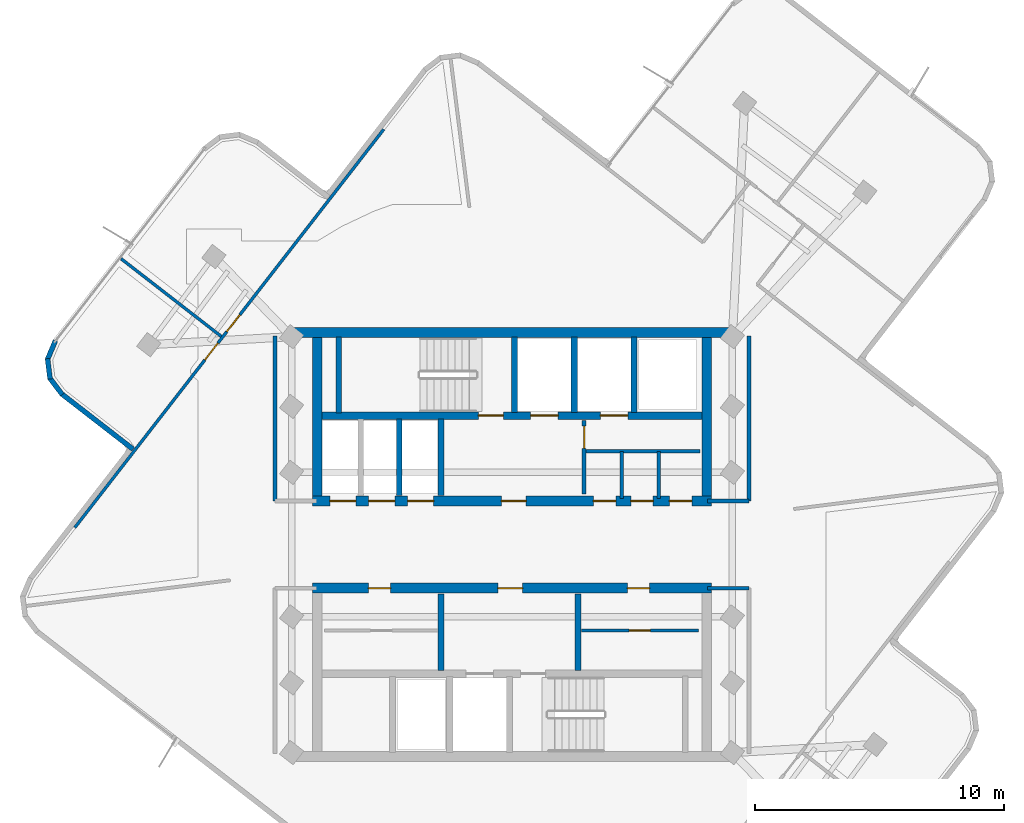
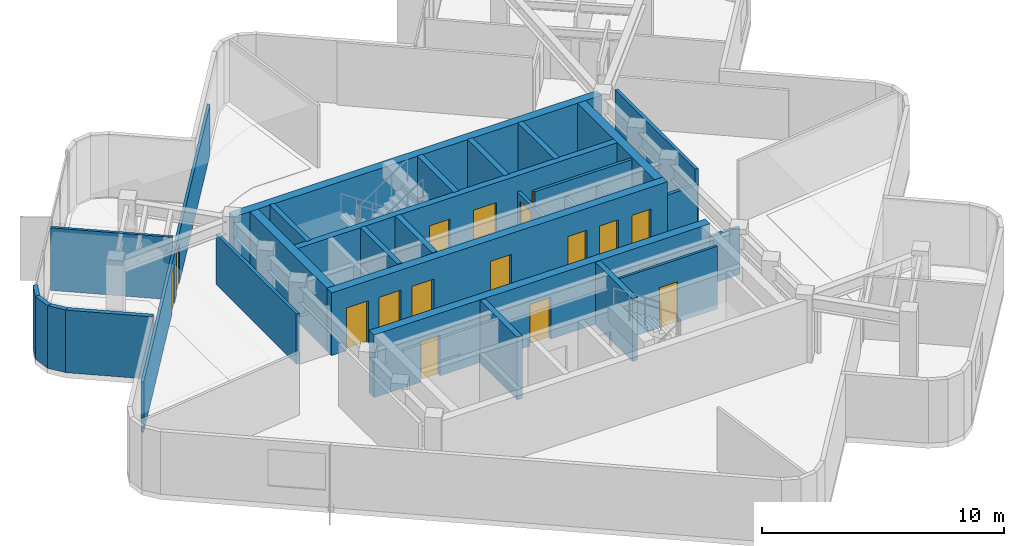
# One storey, part 6 of 10: 29 walls, 17 doors, 17 openings.
"""IFC4 building model written with IfcOpenShell, lengths in metres."""

import ifcopenshell
import ifcopenshell.guid

model = None  # the IFC model being written
_history = None  # IfcOwnerHistory: only IFC2X3 demands one
_inside = {}  # id of a spatial element -> (the spatial element, [elements in it])
_under = {}  # id of a project, library or spatial element -> (it, [spatial elements below it])
_declared = {}  # id of a project -> (the project, [libraries it declares])
_typed = {}  # id of a type object -> (the type object, [elements of that type])
_made_of = {}  # id of a material, layer set ... -> (it, [elements and type objects made of it])


def new_model(schema):
    """Start an empty IFC model of exactly this schema.

    Asked for "IFC4X3", IfcOpenShell would pick the latest addendum, in which some entities
    have other attributes; the version numbers below select the first issue.
    IFC2X3 requires an IfcOwnerHistory on every rooted entity: one is made here for all.
    """
    global model, _history
    if schema == "IFC4X3":
        model = ifcopenshell.file(schema_version=(4, 3, 0, 0))
    else:
        model = ifcopenshell.file(schema=schema)
    _inside.clear()
    _under.clear()
    _declared.clear()
    _typed.clear()
    _made_of.clear()
    _history = None
    if model.schema == "IFC2X3":
        org = make("IfcOrganization", Name="unknown")
        user = make(
            "IfcPersonAndOrganization",
            ThePerson=make("IfcPerson", FamilyName="unknown"),
            TheOrganization=org,
        )
        app = make(
            "IfcApplication",
            ApplicationDeveloper=org,
            Version="unknown",
            ApplicationFullName="unknown",
            ApplicationIdentifier="unknown",
        )
        _history = make(
            "IfcOwnerHistory",
            OwningUser=user,
            OwningApplication=app,
            ChangeAction="ADDED",
            CreationDate=0,
        )
    return model


def make(cls, **values):
    """One entity of the class cls with the attributes given. An attribute that is None is left unset."""
    return model.create_entity(
        cls, **{name: value for name, value in values.items() if value is not None}
    )


def rooted(cls, **values):
    """An entity with a GlobalId (a new one), such as an element, a storey or a relation."""
    return make(cls, GlobalId=ifcopenshell.guid.new(), OwnerHistory=_history, **values)


def si_unit(unit_type, name, prefix=None):
    """IfcSIUnit, for example si_unit("LENGTHUNIT", "METRE", prefix="MILLI")."""
    return make("IfcSIUnit", UnitType=unit_type, Prefix=prefix, Name=name)


def assignment(units):
    """IfcUnitAssignment: the units of a project."""
    return None if units is None else make("IfcUnitAssignment", Units=units)


def point(xyz):
    """IfcCartesianPoint."""
    return None if xyz is None else make("IfcCartesianPoint", Coordinates=xyz)


def direction(xyz):
    """IfcDirection."""
    return None if xyz is None else make("IfcDirection", DirectionRatios=xyz)


def frame(location, z_axis=None, x_axis=None):
    """IfcAxis2Placement3D, a coordinate frame: its origin and axes. An axis left out is left unset."""
    return make(
        "IfcAxis2Placement3D",
        Location=point(location),
        Axis=direction(z_axis),
        RefDirection=direction(x_axis),
    )


def frame_2d(location, x_axis=None):
    """IfcAxis2Placement2D, a coordinate frame in the plane: its origin and x axis."""
    return make(
        "IfcAxis2Placement2D", Location=point(location), RefDirection=direction(x_axis)
    )


def origin():
    """The frame at (0, 0, 0) with its axes left unset."""
    return frame((0.0, 0.0, 0.0))


def place(relative_to, where):
    """IfcLocalPlacement: puts the frame where relative to a parent placement (None: the world)."""
    return make(
        "IfcLocalPlacement", PlacementRelTo=relative_to, RelativePlacement=where
    )


def context(
    kind, dimensions, precision=None, world=None, true_north=None, identifier=None
):
    """IfcGeometricRepresentationContext, for example the 3D "Model" context."""
    return make(
        "IfcGeometricRepresentationContext",
        ContextIdentifier=identifier,
        ContextType=kind,
        CoordinateSpaceDimension=dimensions,
        Precision=precision,
        WorldCoordinateSystem=world,
        TrueNorth=true_north,
    )


def subcontext(parent, identifier, kind, view, scale=None):
    """IfcGeometricRepresentationSubContext, for example "Body" below "Model"."""
    return make(
        "IfcGeometricRepresentationSubContext",
        ContextIdentifier=identifier,
        ContextType=kind,
        ParentContext=parent,
        TargetScale=scale,
        TargetView=view,
    )


def project(units=None, contexts=None):
    """IfcProject with its units and contexts."""
    return rooted(
        "IfcProject",
        Name="project",
        RepresentationContexts=contexts,
        UnitsInContext=assignment(units),
    )


def spatial(cls, under=None, at=None, **own):
    """A site, building, storey or space (cls), placed at a placement, below another one or the project."""
    s = rooted(cls, ObjectPlacement=at, **own)
    if under is not None:
        _under.setdefault(under.id(), (under, []))[1].append(s)
    return s


def profile(cls, at=None, kind="AREA", **sizes):
    """A parametric profile (cls). Its sizes go by their IFC names, for example OverallWidth=200.0."""
    return make(cls, ProfileType=kind, Position=at, **sizes)


def rectangle(**sizes):
    """IfcRectangleProfileDef."""
    return profile("IfcRectangleProfileDef", **sizes)


def extrude(swept, where, along, depth):
    """IfcExtrudedAreaSolid: the profile swept, set in the frame where, extruded along a direction by depth."""
    return make(
        "IfcExtrudedAreaSolid",
        SweptArea=swept,
        Position=where,
        ExtrudedDirection=direction(along),
        Depth=depth,
    )


def shape(context_of_items, identifier, shape_type, items):
    """IfcShapeRepresentation: the items that make up one representation, for example the "Body"."""
    return make(
        "IfcShapeRepresentation",
        ContextOfItems=context_of_items,
        RepresentationIdentifier=identifier,
        RepresentationType=shape_type,
        Items=items,
    )


def material(Name=None, Category=None):
    """IfcMaterial."""
    return make("IfcMaterial", Name=Name, Category=Category)


def layer(
    of_material, thickness, ventilated=None, Name=None, Category=None, Priority=None
):
    """IfcMaterialLayer: one layer of a wall or slab, of a material (None: an air gap)."""
    return make(
        "IfcMaterialLayer",
        Material=of_material,
        LayerThickness=thickness,
        IsVentilated=ventilated,
        Name=Name,
        Category=Category,
        Priority=Priority,
    )


def layer_set(layers, Name=None):
    """IfcMaterialLayerSet."""
    return make("IfcMaterialLayerSet", MaterialLayers=layers, LayerSetName=Name)


def made_of(thing, what):
    """Note that an element or type object is made of a material, layer set ...; save() writes the relation."""
    if what is not None:
        _made_of.setdefault(what.id(), (what, []))[1].append(thing)
    return thing


def type_object(cls, material=None, **own):
    """A type object (cls), such as IfcWallType, which elements share."""
    return made_of(rooted(cls, **own), material)


def element(
    cls,
    number,
    at=None,
    inside=None,
    cuts=None,
    type_object=None,
    material=None,
    context=None,
    identifier="Body",
    shape_type=None,
    held_by="IfcProductDefinitionShape",
    body=None,
    shapes=None,
    **own,
):
    """One element of the class cls, such as IfcWall. Its Tag is "e" and its number.

    at: its placement. inside: the storey or other place that contains it. cuts: it is an
    opening in that element (IfcRelVoidsElement). A single representation is given by context,
    identifier, shape_type and body (its items); several are given by shapes. held_by: the class
    of the entity that holds the representations. save() writes the other relations.
    """
    e = rooted(cls, Tag="e%d" % number, ObjectPlacement=at, **own)
    if body is not None:
        shapes = [shape(context, identifier, shape_type, body)]
    if shapes is not None:
        e.Representation = make(held_by, Representations=shapes)
    if inside is not None:
        _inside.setdefault(inside.id(), (inside, []))[1].append(e)
    if cuts is not None:
        rooted(
            "IfcRelVoidsElement", RelatingBuildingElement=cuts, RelatedOpeningElement=e
        )
    if type_object is not None:
        _typed.setdefault(type_object.id(), (type_object, []))[1].append(e)
    return made_of(e, material)


def fill(opening, filler):
    """IfcRelFillsElement: the door or window that sits in an opening."""
    return rooted(
        "IfcRelFillsElement",
        RelatingOpeningElement=opening,
        RelatedBuildingElement=filler,
    )


def aggregate(whole, parts):
    """IfcRelAggregates: a whole, such as a stair, and the parts it consists of."""
    return rooted("IfcRelAggregates", RelatingObject=whole, RelatedObjects=parts)


def save(model, path):
    """Write the relations noted so far, then the file.

    IfcRelAggregates (storeys below a building ...), IfcRelContainedInSpatialStructure (elements
    in a storey), IfcRelDefinesByType, IfcRelAssociatesMaterial and IfcRelDeclares: one each for
    every whole, place, type object, material and project.
    """
    for whole, parts in _under.values():
        aggregate(whole, parts)
    for where, things in _inside.values():
        rooted(
            "IfcRelContainedInSpatialStructure",
            RelatedElements=things,
            RelatingStructure=where,
        )
    for kind, things in _typed.values():
        rooted("IfcRelDefinesByType", RelatedObjects=things, RelatingType=kind)
    for what, things in _made_of.values():
        rooted("IfcRelAssociatesMaterial", RelatedObjects=things, RelatingMaterial=what)
    for by, libraries in _declared.values():
        rooted("IfcRelDeclares", RelatingContext=by, RelatedDefinitions=libraries)
    model.write(path)


model = new_model("IFC4")

# Units and contexts
model_context = context("Model", 3, precision=1e-05, world=origin(), true_north=direction((0.0, 1.0)))
body_context = subcontext(model_context, "Body", "Model", "MODEL_VIEW")
ifc_project = project(units=[si_unit("LENGTHUNIT", "METRE"), si_unit("AREAUNIT", "SQUARE_METRE"), si_unit("VOLUMEUNIT", "CUBIC_METRE"), si_unit("PLANEANGLEUNIT", "RADIAN"), si_unit("MASSUNIT", "GRAM", prefix="KILO")], contexts=[model_context])

# Site, building, storey
site_placement = place(None, origin())
site = spatial("IfcSite", under=ifc_project, at=site_placement, CompositionType="ELEMENT")
building_placement = place(site_placement, origin())
building = spatial("IfcBuilding", under=site, at=building_placement, Name="Solmarez Civic Tower", CompositionType="ELEMENT")
storey_placement = place(building_placement, frame((0.0, 0.0, 261.179931640625)))
storey = spatial("IfcBuildingStorey", under=building, at=storey_placement, Name="L70", CompositionType="ELEMENT", Elevation=261.179931640625)

# Wall
ifc_material_1 = material(Name="Concrete C50/60", Category="concrete")
ifc_layer_1 = layer(ifc_material_1, 0.39990234375)
ifc_layer_set_1 = layer_set([ifc_layer_1], Name="Concrete C50/60")
wall_type_1 = type_object("IfcWallType", Name="WALL-CORE-400", PredefinedType="SHEAR", material=ifc_layer_set_1)
wall_1_placement = place(storey_placement, frame((-8.780029296875, 8.510009765625, 0.0), z_axis=(0.0, 0.0, 1.0), x_axis=(1.0, 0.0, 0.0)))
element("IfcWall", 1, at=wall_1_placement, inside=storey, type_object=wall_type_1, Name="L70 Split-Core Structural Wall NCW-N-L70", PredefinedType="SHEAR", context=body_context, shape_type="SweptSolid", body=[
    extrude(rectangle(XDim=17.56005859375, YDim=0.39990234375, at=frame_2d((8.780029296875, 0.0))), origin(), (0.0, 0.0, 1.0), 3.16015625),
])

# Wall, openings, doors
wall_2_placement = place(storey_placement, frame((8.02001953125, 1.75, 0.0), z_axis=(0.0, 0.0, 1.0), x_axis=(-1.0, 0.0, 0.0)))
wall_2 = element("IfcWall", 2, at=wall_2_placement, inside=storey, type_object=wall_type_1, Name="L70 Split-Core Structural Wall NCW-S-L70", PredefinedType="SHEAR", context=body_context, shape_type="SweptSolid", body=[
    extrude(rectangle(XDim=16.0400390625, YDim=0.39990234375, at=frame_2d((8.02001953125, 0.0))), origin(), (0.0, 0.0, 1.0), 3.16015625),
])
opening_1_placement = place(wall_2_placement, frame((7.449951171875, 0.0, 0.0)))
opening_1 = element("IfcOpeningElement", 3, at=opening_1_placement, cuts=wall_2, Name="Opening D-04", PredefinedType="OPENING", context=body_context, shape_type="SweptSolid", body=[
    extrude(rectangle(XDim=1.0, YDim=2.10009765625, at=frame_2d((0.5, 1.050048828125))), frame((0.0, 0.2099609375, 0.0), z_axis=(0.0, -1.0, 0.0), x_axis=(1.0, 0.0, 0.0)), (0.0, 0.0, 1.0), 0.419921875),
])
opening_2_placement = place(wall_2_placement, frame((14.284912109375, 0.0, 0.0)))
opening_2 = element("IfcOpeningElement", 4, at=opening_2_placement, cuts=wall_2, Name="Opening LD-01", PredefinedType="OPENING", context=body_context, shape_type="SweptSolid", body=[
    extrude(rectangle(XDim=1.050048828125, YDim=2.14990234375, at=frame_2d((0.52490234375, 1.074951171875))), frame((0.0, 0.2099609375, 0.0), z_axis=(0.0, -1.0, 0.0), x_axis=(1.0, 0.0, 0.0)), (0.0, 0.0, 1.0), 0.419921875),
])
opening_3_placement = place(wall_2_placement, frame((12.72509765625, 0.0, 0.0)))
opening_3 = element("IfcOpeningElement", 5, at=opening_3_placement, cuts=wall_2, Name="Opening LD-01", PredefinedType="OPENING", context=body_context, shape_type="SweptSolid", body=[
    extrude(rectangle(XDim=1.050048828125, YDim=2.14990234375, at=frame_2d((0.52490234375, 1.074951171875))), frame((0.0, 0.2099609375, 0.0), z_axis=(0.0, -1.0, 0.0), x_axis=(1.0, 0.0, 0.0)), (0.0, 0.0, 1.0), 0.419921875),
])
opening_4_placement = place(wall_2_placement, frame((11.1650390625, 0.0, 0.0)))
opening_4 = element("IfcOpeningElement", 6, at=opening_4_placement, cuts=wall_2, Name="Opening LD-01", PredefinedType="OPENING", context=body_context, shape_type="SweptSolid", body=[
    extrude(rectangle(XDim=1.050048828125, YDim=2.14990234375, at=frame_2d((0.52490234375, 1.074951171875))), frame((0.0, 0.2099609375, 0.0), z_axis=(0.0, -1.0, 0.0), x_axis=(1.0, 0.0, 0.0)), (0.0, 0.0, 1.0), 0.419921875),
])
opening_5_placement = place(wall_2_placement, frame((3.85009765625, 0.0, 0.0)))
opening_5 = element("IfcOpeningElement", 7, at=opening_5_placement, cuts=wall_2, Name="Opening D-09", PredefinedType="OPENING", context=body_context, shape_type="SweptSolid", body=[
    extrude(rectangle(XDim=0.89990234375, YDim=2.06005859375, at=frame_2d((0.449951171875, 1.030029296875))), frame((0.0, 0.2099609375, 0.0), z_axis=(0.0, -1.0, 0.0), x_axis=(1.0, 0.0, 0.0)), (0.0, 0.0, 1.0), 0.419921875),
])
opening_6_placement = place(wall_2_placement, frame((2.35009765625, 0.0, 0.0)))
opening_6 = element("IfcOpeningElement", 8, at=opening_6_placement, cuts=wall_2, Name="Opening D-09", PredefinedType="OPENING", context=body_context, shape_type="SweptSolid", body=[
    extrude(rectangle(XDim=0.89990234375, YDim=2.06005859375, at=frame_2d((0.449951171875, 1.030029296875))), frame((0.0, 0.2099609375, 0.0), z_axis=(0.0, -1.0, 0.0), x_axis=(1.0, 0.0, 0.0)), (0.0, 0.0, 1.0), 0.419921875),
])
opening_7_placement = place(wall_2_placement, frame((0.800048828125, 0.0, 0.0)))
opening_7 = element("IfcOpeningElement", 9, at=opening_7_placement, cuts=wall_2, Name="Opening D-09", PredefinedType="OPENING", context=body_context, shape_type="SweptSolid", body=[
    extrude(rectangle(XDim=0.89990234375, YDim=2.06005859375, at=frame_2d((0.449951171875, 1.030029296875))), frame((0.0, 0.2099609375, 0.0), z_axis=(0.0, -1.0, 0.0), x_axis=(1.0, 0.0, 0.0)), (0.0, 0.0, 1.0), 0.419921875),
])
ifc_material_2 = material(Name="Steel-Faced Acoustic Fire Door", Category="steel")
door_type_1 = type_object("IfcDoorType", Name="DOOR-FD60-1000", OperationType="NOTDEFINED", PredefinedType="DOOR", material=ifc_material_2)
door_1_placement = place(opening_1_placement, origin())
door_1 = element("IfcDoor", 10, at=door_1_placement, inside=storey, type_object=door_type_1, Name="L70 North Firefighting Lobby Door", OperationType="SINGLE_SWING_LEFT", OverallHeight=2.10009765625, OverallWidth=1.0, PredefinedType="DOOR", context=body_context, shape_type="SweptSolid", body=[
    extrude(rectangle(XDim=1.0, YDim=2.10009765625, at=frame_2d((0.5, 1.050048828125))), frame((0.0, 0.02490234375, 0.0), z_axis=(0.0, -1.0, 0.0), x_axis=(1.0, 0.0, 0.0)), (0.0, 0.0, 1.0), 0.050048828125),
])
fill(opening_1, door_1)
ifc_material_3 = material(Name="Fire-Rated Service Core Door", Category="wood")
door_type_2 = type_object("IfcDoorType", Name="DOOR-FD60-900", OperationType="NOTDEFINED", PredefinedType="DOOR", material=ifc_material_3)
door_2_placement = place(opening_5_placement, origin())
door_2 = element("IfcDoor", 11, at=door_2_placement, inside=storey, type_object=door_type_2, Name="L70 Core WC Door", OperationType="SINGLE_SWING_RIGHT", OverallHeight=2.06005859375, OverallWidth=0.89990234375, PredefinedType="DOOR", context=body_context, shape_type="SweptSolid", body=[
    extrude(rectangle(XDim=0.89990234375, YDim=2.06005859375, at=frame_2d((0.449951171875, 1.030029296875))), frame((0.0, 0.02490234375, 0.0), z_axis=(0.0, -1.0, 0.0), x_axis=(1.0, 0.0, 0.0)), (0.0, 0.0, 1.0), 0.050048828125),
])
fill(opening_5, door_2)
door_3_placement = place(opening_6_placement, origin())
door_3 = element("IfcDoor", 12, at=door_3_placement, inside=storey, type_object=door_type_2, Name="L70 Core CL Door", OperationType="SINGLE_SWING_LEFT", OverallHeight=2.06005859375, OverallWidth=0.89990234375, PredefinedType="DOOR", context=body_context, shape_type="SweptSolid", body=[
    extrude(rectangle(XDim=0.89990234375, YDim=2.06005859375, at=frame_2d((0.449951171875, 1.030029296875))), frame((0.0, 0.02490234375, 0.0), z_axis=(0.0, -1.0, 0.0), x_axis=(1.0, 0.0, 0.0)), (0.0, 0.0, 1.0), 0.050048828125),
])
fill(opening_6, door_3)
door_4_placement = place(opening_7_placement, origin())
door_4 = element("IfcDoor", 13, at=door_4_placement, inside=storey, type_object=door_type_2, Name="L70 Core IT Door", OperationType="SINGLE_SWING_LEFT", OverallHeight=2.06005859375, OverallWidth=0.89990234375, PredefinedType="DOOR", context=body_context, shape_type="SweptSolid", body=[
    extrude(rectangle(XDim=0.89990234375, YDim=2.06005859375, at=frame_2d((0.449951171875, 1.030029296875))), frame((0.0, 0.02490234375, 0.0), z_axis=(0.0, -1.0, 0.0), x_axis=(1.0, 0.0, 0.0)), (0.0, 0.0, 1.0), 0.050048828125),
])
fill(opening_7, door_4)
ifc_material_4 = material(Name="Bronze Passenger Lift Landing Sliding Door", Category="aluminium")
door_type_3 = type_object("IfcDoorType", Name="DOOR-LD-PAX-1050", OperationType="DOUBLE_DOOR_SLIDING", PredefinedType="DOOR", material=ifc_material_4)
door_5_placement = place(opening_2_placement, origin())
door_5 = element("IfcDoor", 14, at=door_5_placement, inside=storey, type_object=door_type_3, Name="L70 High-Rise Lift Landing Door PL-H1", OperationType="DOUBLE_DOOR_SLIDING", OverallHeight=2.14990234375, OverallWidth=1.050048828125, PredefinedType="DOOR", context=body_context, shape_type="SweptSolid", body=[
    extrude(rectangle(XDim=1.050048828125, YDim=2.14990234375, at=frame_2d((0.52490234375, 1.074951171875))), frame((0.0, 0.02490234375, 0.0), z_axis=(0.0, -1.0, 0.0), x_axis=(1.0, 0.0, 0.0)), (0.0, 0.0, 1.0), 0.050048828125),
])
fill(opening_2, door_5)
door_6_placement = place(opening_3_placement, origin())
door_6 = element("IfcDoor", 15, at=door_6_placement, inside=storey, type_object=door_type_3, Name="L70 High-Rise Lift Landing Door PL-H2", OperationType="DOUBLE_DOOR_SLIDING", OverallHeight=2.14990234375, OverallWidth=1.050048828125, PredefinedType="DOOR", context=body_context, shape_type="SweptSolid", body=[
    extrude(rectangle(XDim=1.050048828125, YDim=2.14990234375, at=frame_2d((0.52490234375, 1.074951171875))), frame((0.0, 0.02490234375, 0.0), z_axis=(0.0, -1.0, 0.0), x_axis=(1.0, 0.0, 0.0)), (0.0, 0.0, 1.0), 0.050048828125),
])
fill(opening_3, door_6)
door_7_placement = place(opening_4_placement, origin())
door_7 = element("IfcDoor", 16, at=door_7_placement, inside=storey, type_object=door_type_3, Name="L70 High-Rise Lift Landing Door PL-H3", OperationType="DOUBLE_DOOR_SLIDING", OverallHeight=2.14990234375, OverallWidth=1.050048828125, PredefinedType="DOOR", context=body_context, shape_type="SweptSolid", body=[
    extrude(rectangle(XDim=1.050048828125, YDim=2.14990234375, at=frame_2d((0.52490234375, 1.074951171875))), frame((0.0, 0.02490234375, 0.0), z_axis=(0.0, -1.0, 0.0), x_axis=(1.0, 0.0, 0.0)), (0.0, 0.0, 1.0), 0.050048828125),
])
fill(opening_4, door_7)

# Walls
for number, where, z_axis, x_axis, name in (
    (17, (-7.820068359375, 1.949951171875, 0.0), (0.0, 0.0, 1.0), (0.0, 1.0, 0.0), "L70 Split-Core Structural Wall NCW-W-L70"),
    (18, (7.820068359375, 8.31005859375, 0.0), (0.0, 0.0, 1.0), (0.0, -1.0, 0.0), "L70 Split-Core Structural Wall NCW-E-L70"),
):
    element("IfcWall", number, at=place(storey_placement, frame(where, z_axis=z_axis, x_axis=x_axis)), inside=storey, type_object=wall_type_1, Name=name, PredefinedType="SHEAR", context=body_context, shape_type="SweptSolid", body=[
        extrude(rectangle(XDim=6.360107421875, YDim=0.39990234375, at=frame_2d((3.18017578125, 0.0))), origin(), (0.0, 0.0, 1.0), 3.16015625),
    ])

# Wall, openings, doors
wall_3_placement = place(storey_placement, frame((-8.02001953125, -1.75, 0.0), z_axis=(0.0, 0.0, 1.0), x_axis=(1.0, 0.0, 0.0)))
wall_3 = element("IfcWall", 19, at=wall_3_placement, inside=storey, type_object=wall_type_1, Name="L70 Split-Core Structural Wall SCW-N-L70", PredefinedType="SHEAR", context=body_context, shape_type="SweptSolid", body=[
    extrude(rectangle(XDim=16.0400390625, YDim=0.39990234375, at=frame_2d((8.02001953125, 0.0))), origin(), (0.0, 0.0, 1.0), 3.16015625),
])
opening_8_placement = place(wall_3_placement, frame((7.449951171875, 0.0, 0.0)))
opening_8 = element("IfcOpeningElement", 20, at=opening_8_placement, cuts=wall_3, Name="Opening D-04", PredefinedType="OPENING", context=body_context, shape_type="SweptSolid", body=[
    extrude(rectangle(XDim=1.0, YDim=2.10009765625, at=frame_2d((0.5, 1.050048828125))), frame((0.0, 0.2099609375, 0.0), z_axis=(0.0, -1.0, 0.0), x_axis=(1.0, 0.0, 0.0)), (0.0, 0.0, 1.0), 0.419921875),
])
opening_9_placement = place(wall_3_placement, frame((12.64990234375, 0.0, 0.0)))
opening_9 = element("IfcOpeningElement", 21, at=opening_9_placement, cuts=wall_3, Name="Opening D-09", PredefinedType="OPENING", context=body_context, shape_type="SweptSolid", body=[
    extrude(rectangle(XDim=0.89990234375, YDim=2.06005859375, at=frame_2d((0.449951171875, 1.030029296875))), frame((0.0, 0.2099609375, 0.0), z_axis=(0.0, -1.0, 0.0), x_axis=(1.0, 0.0, 0.0)), (0.0, 0.0, 1.0), 0.419921875),
])
opening_10_placement = place(wall_3_placement, frame((2.25, 0.0, 0.0)))
opening_10 = element("IfcOpeningElement", 22, at=opening_10_placement, cuts=wall_3, Name="Opening D-09", PredefinedType="OPENING", context=body_context, shape_type="SweptSolid", body=[
    extrude(rectangle(XDim=0.89990234375, YDim=2.06005859375, at=frame_2d((0.449951171875, 1.030029296875))), frame((0.0, 0.2099609375, 0.0), z_axis=(0.0, -1.0, 0.0), x_axis=(1.0, 0.0, 0.0)), (0.0, 0.0, 1.0), 0.419921875),
])
door_8_placement = place(opening_8_placement, origin())
door_8 = element("IfcDoor", 23, at=door_8_placement, inside=storey, type_object=door_type_1, Name="L70 South Firefighting Lobby Door", OperationType="SINGLE_SWING_RIGHT", OverallHeight=2.10009765625, OverallWidth=1.0, PredefinedType="DOOR", context=body_context, shape_type="SweptSolid", body=[
    extrude(rectangle(XDim=1.0, YDim=2.10009765625, at=frame_2d((0.5, 1.050048828125))), frame((0.0, 0.02490234375, 0.0), z_axis=(0.0, -1.0, 0.0), x_axis=(1.0, 0.0, 0.0)), (0.0, 0.0, 1.0), 0.050048828125),
])
fill(opening_8, door_8)
door_9_placement = place(opening_9_placement, origin())
door_9 = element("IfcDoor", 24, at=door_9_placement, inside=storey, type_object=door_type_2, Name="L70 Freed Hoistway Mailroom Door", OperationType="SINGLE_SWING_LEFT", OverallHeight=2.06005859375, OverallWidth=0.89990234375, PredefinedType="DOOR", context=body_context, shape_type="SweptSolid", body=[
    extrude(rectangle(XDim=0.89990234375, YDim=2.06005859375, at=frame_2d((0.449951171875, 1.030029296875))), frame((0.0, 0.02490234375, 0.0), z_axis=(0.0, -1.0, 0.0), x_axis=(1.0, 0.0, 0.0)), (0.0, 0.0, 1.0), 0.050048828125),
])
fill(opening_9, door_9)
door_10_placement = place(opening_10_placement, origin())
door_10 = element("IfcDoor", 25, at=door_10_placement, inside=storey, type_object=door_type_2, Name="L70 Staff Kitchenette Pantry Door", OperationType="SINGLE_SWING_RIGHT", OverallHeight=2.06005859375, OverallWidth=0.89990234375, PredefinedType="DOOR", context=body_context, shape_type="SweptSolid", body=[
    extrude(rectangle(XDim=0.89990234375, YDim=2.06005859375, at=frame_2d((0.449951171875, 1.030029296875))), frame((0.0, 0.02490234375, 0.0), z_axis=(0.0, -1.0, 0.0), x_axis=(1.0, 0.0, 0.0)), (0.0, 0.0, 1.0), 0.050048828125),
])
fill(opening_10, door_10)

# Walls
ifc_material_5 = material(Name="Precast concrete C40/50", Category="concrete")
ifc_layer_2 = layer(ifc_material_5, 0.199951171875)
ifc_layer_set_2 = layer_set([ifc_layer_2], Name="Precast concrete C40/50")
wall_type_2 = type_object("IfcWallType", Name="WALL-EXT-200", PredefinedType="SOLIDWALL", material=ifc_layer_set_2)
wall_4_placement = place(storey_placement, frame((-15.215087890625, 3.8291015625, 0.0), z_axis=(0.0, 0.0, 1.0), x_axis=(-0.790311198889, 0.612705646221, 0.0)))
element("IfcWall", 26, at=wall_4_placement, inside=storey, type_object=wall_type_2, Name="L70 Exterior Precast Wall 13", PredefinedType="SOLIDWALL", context=body_context, shape_type="SweptSolid", body=[
    extrude(rectangle(XDim=3.642822265625, YDim=0.199951171875, at=frame_2d((1.8212890625, 0.0))), origin(), (0.0, 0.0, 1.0), 3.16015625),
])
wall_5_placement = place(storey_placement, frame((-18.05908203125, 6.02587890625, 0.0), z_axis=(0.0, 0.0, 1.0), x_axis=(-0.603582833373, 0.797300296787, 0.0)))
element("IfcWall", 27, at=wall_5_placement, inside=storey, type_object=wall_type_2, Name="L70 Exterior Precast Wall 14", PredefinedType="SOLIDWALL", context=body_context, shape_type="SweptSolid", body=[
    extrude(rectangle(XDim=0.838134765625, YDim=0.199951171875, at=frame_2d((0.4189453125, 0.0))), origin(), (0.0, 0.0, 1.0), 3.16015625),
])
wall_6_placement = place(storey_placement, frame((-18.547119140625, 6.64892578125, 0.0), z_axis=(0.0, 0.0, 1.0), x_axis=(-0.124507909692, 0.992218615238, 0.0)))
element("IfcWall", 28, at=wall_6_placement, inside=storey, type_object=wall_type_2, Name="L70 Exterior Precast Wall 15", PredefinedType="SOLIDWALL", context=body_context, shape_type="SweptSolid", body=[
    extrude(rectangle(XDim=0.825439453125, YDim=0.199951171875, at=frame_2d((0.41259765625, 0.0))), origin(), (0.0, 0.0, 1.0), 3.16015625),
])
wall_7_placement = place(storey_placement, frame((-18.656982421875, 7.419921875, 0.0), z_axis=(0.0, 0.0, 1.0), x_axis=(0.387965780676, 0.921673777985, 0.0)))
element("IfcWall", 29, at=wall_7_placement, inside=storey, type_object=wall_type_2, Name="L70 Exterior Precast Wall 16", PredefinedType="SOLIDWALL", context=body_context, shape_type="SweptSolid", body=[
    extrude(rectangle(XDim=0.837646484375, YDim=0.199951171875, at=frame_2d((0.4189453125, 0.0))), origin(), (0.0, 0.0, 1.0), 3.16015625),
])
ifc_material_6 = material(Name="Gypsum Board Acoustic Steel-Stud Partition", Category="steel")
ifc_layer_3 = layer(ifc_material_6, 0.14990234375)
ifc_layer_set_3 = layer_set([ifc_layer_3], Name="Gypsum Board Acoustic Steel-Stud Partition")
wall_type_3 = type_object("IfcWallType", Name="WALL-INT-FIRE-150", PredefinedType="PARTITIONING", material=ifc_layer_set_3)
wall_8_placement = place(storey_placement, frame((-9.52001953125, 1.75, 0.0), z_axis=(0.0, 0.0, 1.0), x_axis=(0.0, 1.0, 0.0)))
element("IfcWall", 30, at=wall_8_placement, inside=storey, type_object=wall_type_3, Name="L70 Interior Partition CHW-L70-WN1", PredefinedType="PARTITIONING", context=body_context, shape_type="SweptSolid", body=[
    extrude(rectangle(XDim=6.6298828125, YDim=0.14990234375, at=frame_2d((3.31494140625, 0.0))), origin(), (0.0, 0.0, 1.0), 2.530029296875),
])
wall_9_placement = place(storey_placement, frame((9.52001953125, 1.75, 0.0), z_axis=(0.0, 0.0, 1.0), x_axis=(0.0, 1.0, 0.0)))
element("IfcWall", 31, at=wall_9_placement, inside=storey, type_object=wall_type_3, Name="L70 Interior Partition CHW-L70-EN1", PredefinedType="PARTITIONING", context=body_context, shape_type="SweptSolid", body=[
    extrude(rectangle(XDim=6.6298828125, YDim=0.14990234375, at=frame_2d((3.31494140625, 0.0))), origin(), (0.0, 0.0, 1.0), 3.16015625),
])
for number, where, z_axis, x_axis, name in (
    (32, (7.85009765625, 1.75, 0.0), (0.0, 0.0, 1.0), (1.0, 0.0, 0.0), "L70 Interior Partition CHW-L70-EN3"),
    (33, (7.85009765625, -1.75, 0.0), (0.0, 0.0, 1.0), (1.0, 0.0, 0.0), "L70 Interior Partition CHW-L70-ES3"),
):
    element("IfcWall", number, at=place(storey_placement, frame(where, z_axis=z_axis, x_axis=x_axis)), inside=storey, type_object=wall_type_3, Name=name, PredefinedType="PARTITIONING", context=body_context, shape_type="SweptSolid", body=[
        extrude(rectangle(XDim=1.669921875, YDim=0.14990234375, at=frame_2d((0.8349609375, 0.0))), origin(), (0.0, 0.0, 1.0), 2.39013671875),
    ])

# Wall, opening, door
ifc_layer_4 = layer(ifc_material_6, 0.1201171875)
ifc_layer_set_4 = layer_set([ifc_layer_4], Name="Gypsum Board Acoustic Steel-Stud Partition")
wall_type_4 = type_object("IfcWallType", Name="WALL-INT-PART-120", PredefinedType="PARTITIONING", material=ifc_layer_set_4)
wall_10_placement = place(storey_placement, frame((2.800048828125, -3.449951171875, 0.0), z_axis=(0.0, 0.0, 1.0), x_axis=(1.0, 0.0, 0.0)))
wall_10 = element("IfcWall", 34, at=wall_10_placement, inside=storey, type_object=wall_type_4, Name="L70 Interior Partition PT-FPLL-L70", PredefinedType="PARTITIONING", context=body_context, shape_type="SweptSolid", body=[
    extrude(rectangle(XDim=4.679931640625, YDim=0.1201171875, at=frame_2d((2.33984375, 0.0))), origin(), (0.0, 0.0, 1.0), 3.16015625),
])
opening_11_placement = place(wall_10_placement, frame((1.89990234375, 0.0, 0.0)))
opening_11 = element("IfcOpeningElement", 35, at=opening_11_placement, cuts=wall_10, Name="Opening D-14", PredefinedType="OPENING", context=body_context, shape_type="SweptSolid", body=[
    extrude(rectangle(XDim=0.860107421875, YDim=2.0400390625, at=frame_2d((0.43017578125, 1.02001953125))), frame((0.0, 0.070068359375, 0.0), z_axis=(0.0, -1.0, 0.0), x_axis=(1.0, 0.0, 0.0)), (0.0, 0.0, 1.0), 0.14013671875),
])
ifc_material_7 = material(Name="Timber Storage and Pantry Door", Category="wood")
door_type_4 = type_object("IfcDoorType", Name="DOOR-INT-850", OperationType="NOTDEFINED", PredefinedType="DOOR", material=ifc_material_7)
door_11_placement = place(opening_11_placement, origin())
door_11 = element("IfcDoor", 36, at=door_11_placement, inside=storey, type_object=door_type_4, Name="L70 Records Filing Room Door", OperationType="SINGLE_SWING_LEFT", OverallHeight=2.0400390625, OverallWidth=0.860107421875, PredefinedType="DOOR", context=body_context, shape_type="SweptSolid", body=[
    extrude(rectangle(XDim=0.860107421875, YDim=2.0400390625, at=frame_2d((0.43017578125, 1.02001953125))), frame((0.0, 0.02490234375, 0.0), z_axis=(0.0, -1.0, 0.0), x_axis=(1.0, 0.0, 0.0)), (0.0, 0.0, 1.0), 0.050048828125),
])
fill(opening_11, door_11)

# Wall
wall_11_placement = place(storey_placement, frame((-11.676025390625, 8.361083984375, 0.0), z_axis=(0.0, 0.0, 1.0), x_axis=(-0.790227868115, 0.612813117071, 0.0)))
element("IfcWall", 37, at=wall_11_placement, inside=storey, type_object=wall_type_4, Name="L70 Interior Partition PT-L70-N-ALM", PredefinedType="PARTITIONING", context=body_context, shape_type="SweptSolid", body=[
    extrude(rectangle(XDim=5.084716796875, YDim=0.1201171875, at=frame_2d((2.54248046875, 0.0))), origin(), (0.0, 0.0, 1.0), 3.16015625),
])

# Wall, openings, doors
wall_12_placement = place(storey_placement, frame((-17.554931640625, 0.68310546875, 0.0), z_axis=(0.0, 0.0, 1.0), x_axis=(0.61291959311, 0.790145285617, 0.0)))
wall_12 = element("IfcWall", 38, at=wall_12_placement, inside=storey, type_object=wall_type_4, Name="L70 Interior Partition PT-L70-N-ENT", PredefinedType="PARTITIONING", context=body_context, shape_type="SweptSolid", body=[
    extrude(rectangle(XDim=20.2392578125, YDim=0.1201171875, at=frame_2d((10.11962890625, 0.0))), origin(), (0.0, 0.0, 1.0), 2.530029296875),
])
opening_12_placement = place(wall_12_placement, frame((9.9599609375, 0.0, 0.0)))
opening_12 = element("IfcOpeningElement", 39, at=opening_12_placement, cuts=wall_12, Name="Opening D-14", PredefinedType="OPENING", context=body_context, shape_type="SweptSolid", body=[
    extrude(rectangle(XDim=0.860107421875, YDim=2.0400390625, at=frame_2d((0.43017578125, 1.02001953125))), frame((0.0, 0.070068359375, 0.0), z_axis=(0.0, -1.0, 0.0), x_axis=(1.0, 0.0, 0.0)), (0.0, 0.0, 1.0), 0.14013671875),
])
opening_13_placement = place(wall_12_placement, frame((8.52001953125, 0.0, 0.0)))
opening_13 = element("IfcOpeningElement", 40, at=opening_13_placement, cuts=wall_12, Name="Opening D-14", PredefinedType="OPENING", context=body_context, shape_type="SweptSolid", body=[
    extrude(rectangle(XDim=0.860107421875, YDim=2.0400390625, at=frame_2d((0.43017578125, 1.02001953125))), frame((0.0, 0.070068359375, 0.0), z_axis=(0.0, -1.0, 0.0), x_axis=(1.0, 0.0, 0.0)), (0.0, 0.0, 1.0), 0.14013671875),
])
door_12_placement = place(opening_12_placement, origin())
door_12 = element("IfcDoor", 41, at=door_12_placement, inside=storey, type_object=door_type_4, Name="L70 Public Reading Room Second North Door", OperationType="SINGLE_SWING_RIGHT", OverallHeight=2.0400390625, OverallWidth=0.860107421875, PredefinedType="DOOR", context=body_context, shape_type="SweptSolid", body=[
    extrude(rectangle(XDim=0.860107421875, YDim=2.0400390625, at=frame_2d((0.43017578125, 1.02001953125))), frame((0.0, 0.02490234375, 0.0), z_axis=(0.0, -1.0, 0.0), x_axis=(1.0, 0.0, 0.0)), (0.0, 0.0, 1.0), 0.050048828125),
])
fill(opening_12, door_12)
door_13_placement = place(opening_13_placement, origin())
door_13 = element("IfcDoor", 42, at=door_13_placement, inside=storey, type_object=door_type_4, Name="L70 Citizen Legal Clinic First North Door", OperationType="SINGLE_SWING_LEFT", OverallHeight=2.0400390625, OverallWidth=0.860107421875, PredefinedType="DOOR", context=body_context, shape_type="SweptSolid", body=[
    extrude(rectangle(XDim=0.860107421875, YDim=2.0400390625, at=frame_2d((0.43017578125, 1.02001953125))), frame((0.0, 0.02490234375, 0.0), z_axis=(0.0, -1.0, 0.0), x_axis=(1.0, 0.0, 0.0)), (0.0, 0.0, 1.0), 0.050048828125),
])
fill(opening_13, door_13)

# Wall, opening, door
ifc_layer_5 = layer(ifc_material_6, 0.159912109375)
ifc_layer_set_5 = layer_set([ifc_layer_5], Name="Gypsum Board Acoustic Steel-Stud Partition")
wall_type_5 = type_object("IfcWallType", Name="WALL-INT-SHAFT-160", PredefinedType="PARTITIONING", material=ifc_layer_set_5)
wall_13_placement = place(storey_placement, frame((2.89990234375, 2.0400390625, 0.0), z_axis=(0.0, 0.0, 1.0), x_axis=(0.0, 1.0, 0.0)))
wall_13 = element("IfcWall", 43, at=wall_13_placement, inside=storey, type_object=wall_type_5, Name="L70 Interior Partition SHW-NL2-L70", PredefinedType="PARTITIONING", context=body_context, shape_type="SweptSolid", body=[
    extrude(rectangle(XDim=2.93994140625, YDim=0.159912109375, at=frame_2d((1.469970703125, 0.0))), origin(), (0.0, 0.0, 1.0), 2.39013671875),
])
opening_14_placement = place(wall_13_placement, frame((1.820068359375, 0.0, 0.0)))
opening_14 = element("IfcOpeningElement", 44, at=opening_14_placement, cuts=wall_13, Name="Opening D-09", PredefinedType="OPENING", context=body_context, shape_type="SweptSolid", body=[
    extrude(rectangle(XDim=0.89990234375, YDim=2.06005859375, at=frame_2d((0.449951171875, 1.030029296875))), frame((0.0, 0.08984375, 0.0), z_axis=(0.0, -1.0, 0.0), x_axis=(1.0, 0.0, 0.0)), (0.0, 0.0, 1.0), 0.179931640625),
])
door_14_placement = place(opening_14_placement, origin())
door_14 = element("IfcDoor", 45, at=door_14_placement, inside=storey, type_object=door_type_2, Name="L70 Service Lift Lobby Door", OperationType="SINGLE_SWING_LEFT", OverallHeight=2.06005859375, OverallWidth=0.89990234375, PredefinedType="DOOR", context=body_context, shape_type="SweptSolid", body=[
    extrude(rectangle(XDim=0.89990234375, YDim=2.06005859375, at=frame_2d((0.449951171875, 1.030029296875))), frame((0.0, 0.02490234375, 0.0), z_axis=(0.0, -1.0, 0.0), x_axis=(1.0, 0.0, 0.0)), (0.0, 0.0, 1.0), 0.050048828125),
])
fill(opening_14, door_14)

# Walls
ifc_layer_6 = layer(ifc_material_6, 0.137939453125)
ifc_layer_set_6 = layer_set([ifc_layer_6], Name="Gypsum Board Acoustic Steel-Stud Partition")
wall_type_6 = type_object("IfcWallType", Name="WALL-INT-WET-140", PredefinedType="PARTITIONING", material=ifc_layer_set_6)
wall_14_placement = place(storey_placement, frame((2.89990234375, 3.739990234375, 0.0), z_axis=(0.0, 0.0, 1.0), x_axis=(1.0, 0.0, 0.0)))
element("IfcWall", 46, at=wall_14_placement, inside=storey, type_object=wall_type_6, Name="L70 Interior Partition SHW-SVH-L70", PredefinedType="PARTITIONING", context=body_context, shape_type="SweptSolid", body=[
    extrude(rectangle(XDim=4.650146484375, YDim=0.137939453125, at=frame_2d((2.3251953125, 0.0))), origin(), (0.0, 0.0, 1.0), 3.16015625),
])
for number, where, z_axis, x_axis, name in (
    (47, (4.39990234375, 1.85009765625, 0.0), (0.0, 0.0, 1.0), (0.0, 1.0, 0.0), "L70 Interior Partition PT-NCSV1-L70"),
    (48, (5.89990234375, 1.85009765625, 0.0), (0.0, 0.0, 1.0), (0.0, 1.0, 0.0), "L70 Interior Partition PT-NCSV2-L70"),
):
    element("IfcWall", number, at=place(storey_placement, frame(where, z_axis=z_axis, x_axis=x_axis)), inside=storey, type_object=wall_type_6, Name=name, PredefinedType="PARTITIONING", context=body_context, shape_type="SweptSolid", body=[
        extrude(rectangle(XDim=1.889892578125, YDim=0.137939453125, at=frame_2d((0.94482421875, 0.0))), origin(), (0.0, 0.0, 1.0), 2.39013671875),
    ])

# Wall, openings, doors
ifc_layer_7 = layer(ifc_material_1, 0.300048828125)
ifc_layer_set_7 = layer_set([ifc_layer_7], Name="Concrete C50/60")
wall_type_7 = type_object("IfcWallType", Name="WALL-STR-300", PredefinedType="SOLIDWALL", material=ifc_layer_set_7)
wall_15_placement = place(storey_placement, frame((7.6201171875, 5.179931640625, 0.0), z_axis=(0.0, 0.0, 1.0), x_axis=(-1.0, 0.0, 0.0)))
wall_15 = element("IfcWall", 49, at=wall_15_placement, inside=storey, type_object=wall_type_7, Name="L70 Split-Core Structural Wall NCW-M-L70", PredefinedType="SOLIDWALL", context=body_context, shape_type="SweptSolid", body=[
    extrude(rectangle(XDim=15.240234375, YDim=0.300048828125, at=frame_2d((7.6201171875, 0.0))), origin(), (0.0, 0.0, 1.0), 3.16015625),
])
opening_15_placement = place(wall_15_placement, frame((5.77001953125, 0.0, 0.0)))
opening_15 = element("IfcOpeningElement", 50, at=opening_15_placement, cuts=wall_15, Name="Opening LD-02", PredefinedType="OPENING", context=body_context, shape_type="SweptSolid", body=[
    extrude(rectangle(XDim=1.10009765625, YDim=2.14990234375, at=frame_2d((0.550048828125, 1.074951171875))), frame((0.0, 0.159912109375, 0.0), z_axis=(0.0, -1.0, 0.0), x_axis=(1.0, 0.0, 0.0)), (0.0, 0.0, 1.0), 0.320068359375),
])
opening_16_placement = place(wall_15_placement, frame((2.969970703125, 0.0, 0.0)))
opening_16 = element("IfcOpeningElement", 51, at=opening_16_placement, cuts=wall_15, Name="Opening LD-03", PredefinedType="OPENING", context=body_context, shape_type="SweptSolid", body=[
    extrude(rectangle(XDim=1.10009765625, YDim=2.14990234375, at=frame_2d((0.550048828125, 1.074951171875))), frame((0.0, 0.159912109375, 0.0), z_axis=(0.0, -1.0, 0.0), x_axis=(1.0, 0.0, 0.0)), (0.0, 0.0, 1.0), 0.320068359375),
])
opening_17_placement = place(wall_15_placement, frame((7.969970703125, 0.0, 0.0)))
opening_17 = element("IfcOpeningElement", 52, at=opening_17_placement, cuts=wall_15, Name="Opening D-05", PredefinedType="OPENING", context=body_context, shape_type="SweptSolid", body=[
    extrude(rectangle(XDim=1.0, YDim=2.10009765625, at=frame_2d((0.5, 1.050048828125))), frame((0.0, 0.159912109375, 0.0), z_axis=(0.0, -1.0, 0.0), x_axis=(1.0, 0.0, 0.0)), (0.0, 0.0, 1.0), 0.320068359375),
])
ifc_material_8 = material(Name="Fire-Rated Stairwell Exit Door", Category="wood")
door_type_5 = type_object("IfcDoorType", Name="DOOR-FD90-1000", OperationType="NOTDEFINED", PredefinedType="DOOR", material=ifc_material_8)
door_15_placement = place(opening_17_placement, origin())
door_15 = element("IfcDoor", 53, at=door_15_placement, inside=storey, type_object=door_type_5, Name="L70 North Exit Stair Door ST-1", OperationType="SINGLE_SWING_LEFT", OverallHeight=2.10009765625, OverallWidth=1.0, PredefinedType="DOOR", context=body_context, shape_type="SweptSolid", body=[
    extrude(rectangle(XDim=1.0, YDim=2.10009765625, at=frame_2d((0.5, 1.050048828125))), frame((0.0, 0.02490234375, 0.0), z_axis=(0.0, -1.0, 0.0), x_axis=(1.0, 0.0, 0.0)), (0.0, 0.0, 1.0), 0.050048828125),
])
fill(opening_17, door_15)
ifc_material_9 = material(Name="Stainless Firefighting Lift Landing Sliding Door", Category="aluminium")
door_type_6 = type_object("IfcDoorType", Name="DOOR-LD-FF-1100", OperationType="DOUBLE_DOOR_SLIDING", PredefinedType="DOOR", material=ifc_material_9)
door_16_placement = place(opening_15_placement, origin())
door_16 = element("IfcDoor", 54, at=door_16_placement, inside=storey, type_object=door_type_6, Name="L70 Firefighting Lift Landing Door FFL-1", OperationType="DOUBLE_DOOR_SLIDING", OverallHeight=2.14990234375, OverallWidth=1.10009765625, PredefinedType="DOOR", context=body_context, shape_type="SweptSolid", body=[
    extrude(rectangle(XDim=1.10009765625, YDim=2.14990234375, at=frame_2d((0.550048828125, 1.074951171875))), frame((0.0, 0.02490234375, 0.0), z_axis=(0.0, -1.0, 0.0), x_axis=(1.0, 0.0, 0.0)), (0.0, 0.0, 1.0), 0.050048828125),
])
fill(opening_15, door_16)
ifc_material_10 = material(Name="Stainless Stretcher Lift Landing Sliding Door", Category="aluminium")
door_type_7 = type_object("IfcDoorType", Name="DOOR-LD-SV-1100", OperationType="DOUBLE_DOOR_SLIDING", PredefinedType="DOOR", material=ifc_material_10)
door_17_placement = place(opening_16_placement, origin())
door_17 = element("IfcDoor", 55, at=door_17_placement, inside=storey, type_object=door_type_7, Name="L70 Service Stretcher Lift Landing Door SVL-1", OperationType="DOUBLE_DOOR_SLIDING", OverallHeight=2.14990234375, OverallWidth=1.10009765625, PredefinedType="DOOR", context=body_context, shape_type="SweptSolid", body=[
    extrude(rectangle(XDim=1.10009765625, YDim=2.14990234375, at=frame_2d((0.550048828125, 1.074951171875))), frame((0.0, 0.02490234375, 0.0), z_axis=(0.0, -1.0, 0.0), x_axis=(1.0, 0.0, 0.0)), (0.0, 0.0, 1.0), 0.050048828125),
])
fill(opening_16, door_17)

# Walls
wall_16_placement = place(storey_placement, frame((-6.949951171875, 5.280029296875, 0.0), z_axis=(0.0, 0.0, 1.0), x_axis=(0.0, 1.0, 0.0)))
element("IfcWall", 56, at=wall_16_placement, inside=storey, type_object=wall_type_7, Name="L70 Split-Core Structural Wall SHW-NW-L70", PredefinedType="SOLIDWALL", context=body_context, shape_type="SweptSolid", body=[
    extrude(rectangle(XDim=3.06005859375, YDim=0.219970703125, at=frame_2d((1.530029296875, 0.0))), origin(), (0.0, 0.0, 1.0), 3.16015625),
])
for number, where, z_axis, x_axis, name in (
    (57, (0.10009765625, 5.300048828125, 0.0), (0.0, 0.0, 1.0), (0.0, 1.0, 0.0), "L70 Split-Core Structural Wall SHW-N1-L70"),
    (58, (2.5, 5.300048828125, 0.0), (0.0, 0.0, 1.0), (0.0, 1.0, 0.0), "L70 Split-Core Structural Wall SHW-N2-L70"),
    (59, (4.89990234375, 5.300048828125, 0.0), (0.0, 0.0, 1.0), (0.0, 1.0, 0.0), "L70 Split-Core Structural Wall SHW-N3-L70"),
):
    element("IfcWall", number, at=place(storey_placement, frame(where, z_axis=z_axis, x_axis=x_axis)), inside=storey, type_object=wall_type_7, Name=name, PredefinedType="SOLIDWALL", context=body_context, shape_type="SweptSolid", body=[
        extrude(rectangle(XDim=3.0400390625, YDim=0.25, at=frame_2d((1.52001953125, 0.0))), origin(), (0.0, 0.0, 1.0), 3.16015625),
    ])
for number, where, z_axis, x_axis, name in (
    (60, (-2.85009765625, 1.97998046875, 0.0), (0.0, 0.0, 1.0), (0.0, 1.0, 0.0), "L70 Split-Core Structural Wall SHW-NL1-L70"),
    (61, (-2.85009765625, -5.050048828125, 0.0), (0.0, 0.0, 1.0), (0.0, 1.0, 0.0), "L70 Split-Core Structural Wall SHW-SL1-L70"),
    (62, (2.64990234375, -5.050048828125, 0.0), (0.0, 0.0, 1.0), (0.0, 1.0, 0.0), "L70 Split-Core Structural Wall SHW-SL2-L70"),
):
    element("IfcWall", number, at=place(storey_placement, frame(where, z_axis=z_axis, x_axis=x_axis)), inside=storey, type_object=wall_type_7, Name=name, PredefinedType="SOLIDWALL", context=body_context, shape_type="SweptSolid", body=[
        extrude(rectangle(XDim=3.070068359375, YDim=0.25, at=frame_2d((1.53515625, 0.0))), origin(), (0.0, 0.0, 1.0), 3.16015625),
    ])
wall_17_placement = place(storey_placement, frame((-4.52001953125, 1.97998046875, 0.0), z_axis=(0.0, 0.0, 1.0), x_axis=(0.0, 1.0, 0.0)))
element("IfcWall", 63, at=wall_17_placement, inside=storey, type_object=wall_type_7, Name="L70 Split-Core Structural Wall SHW-PLH-L70-2", PredefinedType="SOLIDWALL", context=body_context, shape_type="SweptSolid", body=[
    extrude(rectangle(XDim=3.070068359375, YDim=0.219970703125, at=frame_2d((1.53515625, 0.0))), origin(), (0.0, 0.0, 1.0), 3.16015625),
])

save(model, "model.ifc")
